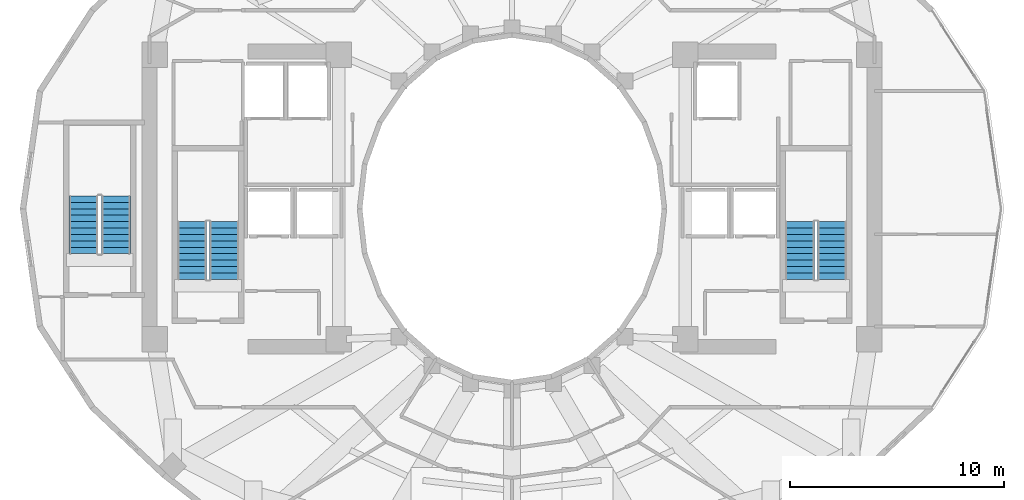
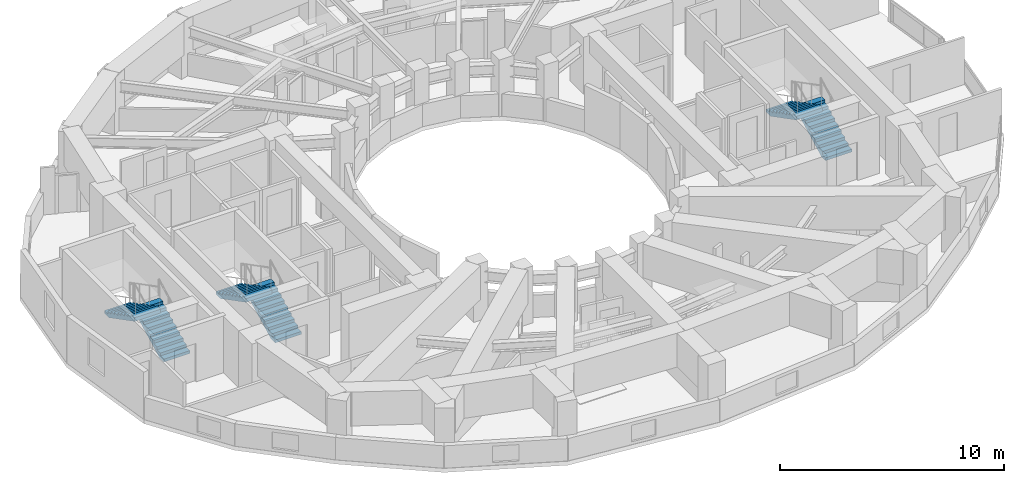
# One storey, part 10 of 13: 6 stair flights, 3 elements without a shape of their own.
"""IFC4 building model written with IfcOpenShell, lengths in metres."""

from ifc_helpers import new_model, si_unit, direction, frame, origin, place, context, subcontext, project, spatial, polyline, outline, extrude, material, type_object, element, aggregate, save


model = new_model("IFC4")

# Units and contexts
model_context = context("Model", 3, precision=1e-05, world=origin(), true_north=direction((0.0, 1.0)))
body_context = subcontext(model_context, "Body", "Model", "MODEL_VIEW")
ifc_project = project(units=[si_unit("LENGTHUNIT", "METRE"), si_unit("AREAUNIT", "SQUARE_METRE"), si_unit("VOLUMEUNIT", "CUBIC_METRE"), si_unit("PLANEANGLEUNIT", "RADIAN"), si_unit("MASSUNIT", "GRAM", prefix="KILO")], contexts=[model_context])

# Site, building, storey
site_placement = place(None, origin())
site = spatial("IfcSite", under=ifc_project, at=site_placement, CompositionType="ELEMENT")
building_placement = place(site_placement, origin())
building = spatial("IfcBuilding", under=site, at=building_placement, Name="Solvane Sanctuary Tower", CompositionType="ELEMENT")
storey_placement = place(building_placement, frame((0.0, 0.0, 149.800048828125)))
storey = spatial("IfcBuildingStorey", under=building, at=storey_placement, Name="L45", CompositionType="ELEMENT", Elevation=149.800048828125)

# Stair, stair flights
ifc_material = material(Name="Concrete C45/55", Category="concrete")
stair_type = type_object("IfcStairType", Name="Stair ST-TOW", PredefinedType="HALF_TURN_STAIR", material=ifc_material)
stair_1_placement = place(storey_placement, origin())
stair_1 = element("IfcStair", 1, at=stair_1_placement, inside=storey, type_object=stair_type, Name="L45 Exit Stair ST-1 West Core", PredefinedType="HALF_TURN_STAIR")
stair_flight_type = type_object("IfcStairFlightType", Name="StairFlight SF-TOW", PredefinedType="STRAIGHT", material=ifc_material)
stair_flight_1_placement = place(storey_placement, frame((18.544921875, 19.699951171875, 0.0), z_axis=(0.0, 0.0, 1.0), x_axis=(0.0, 1.0, 0.0)))
stair_flight_1 = element("IfcStairFlight", 2, at=stair_flight_1_placement, type_object=stair_flight_type, Name="ST-1 flight 1", NumberOfRisers=10, NumberOfTreads=9, PredefinedType="STRAIGHT", RiserHeight=0.155, TreadLength=0.3, context=body_context, shape_type="SweptSolid", body=[
    extrude(outline(polyline([(0.0, 0.0), (0.0, 0.155029296875), (0.300048828125, 0.155029296875), (0.300048828125, 0.31005859375), (0.60009765625, 0.31005859375), (0.60009765625, 0.465087890625), (0.89990234375, 0.465087890625), (0.89990234375, 0.6201171875), (1.199951171875, 0.6201171875), (1.199951171875, 0.77490234375), (1.5, 0.77490234375), (1.5, 0.929931640625), (1.800048828125, 0.929931640625), (1.800048828125, 1.0849609375), (2.10009765625, 1.0849609375), (2.10009765625, 1.239990234375), (2.39990234375, 1.239990234375), (2.39990234375, 1.39501953125), (2.699951171875, 1.39501953125), (2.699951171875, 1.550048828125), (2.699951171875, 1.1923828125), (0.39208984375, 0.0), (0.0, 0.0)])), frame((0.0, 0.675048828125, 0.0), z_axis=(0.0, -1.0, 0.0), x_axis=(1.0, 0.0, 0.0)), (0.0, 0.0, 1.0), 1.35009765625),
])
stair_flight_2_placement = place(storey_placement, frame((17.034912109375, 22.39990234375, 1.550048828125), z_axis=(0.0, 0.0, 1.0), x_axis=(0.0, -1.0, 0.0)))
stair_flight_2 = element("IfcStairFlight", 3, at=stair_flight_2_placement, type_object=stair_flight_type, Name="ST-1 flight 2", NumberOfRisers=10, NumberOfTreads=9, PredefinedType="STRAIGHT", RiserHeight=0.155, TreadLength=0.3, context=body_context, shape_type="SweptSolid", body=[
    extrude(outline(polyline([(0.0, 0.0), (0.0, 0.155029296875), (0.300048828125, 0.155029296875), (0.300048828125, 0.31005859375), (0.60009765625, 0.31005859375), (0.60009765625, 0.465087890625), (0.89990234375, 0.465087890625), (0.89990234375, 0.6201171875), (1.199951171875, 0.6201171875), (1.199951171875, 0.77490234375), (1.5, 0.77490234375), (1.5, 0.929931640625), (1.800048828125, 0.929931640625), (1.800048828125, 1.0849609375), (2.10009765625, 1.0849609375), (2.10009765625, 1.239990234375), (2.39990234375, 1.239990234375), (2.39990234375, 1.39501953125), (2.699951171875, 1.39501953125), (2.699951171875, 1.550048828125), (2.699951171875, 1.1923828125), (0.39208984375, 0.0), (0.0, 0.0)])), frame((0.0, 0.675048828125, 0.0), z_axis=(0.0, -1.0, 0.0), x_axis=(1.0, 0.0, 0.0)), (0.0, 0.0, 1.0), 1.35009765625),
])
aggregate(stair_1, [stair_flight_1, stair_flight_2])

stair_2_placement = place(storey_placement, origin())
stair_2 = element("IfcStair", 4, at=stair_2_placement, inside=storey, type_object=stair_type, Name="L45 Exit Stair ST-2 East Core", PredefinedType="HALF_TURN_STAIR")
stair_flight_3_placement = place(storey_placement, frame((46.965087890625, 19.699951171875, 0.0), z_axis=(0.0, 0.0, 1.0), x_axis=(0.0, 1.0, 0.0)))
stair_flight_3 = element("IfcStairFlight", 5, at=stair_flight_3_placement, type_object=stair_flight_type, Name="ST-2 flight 1", NumberOfRisers=10, NumberOfTreads=9, PredefinedType="STRAIGHT", RiserHeight=0.155, TreadLength=0.3, context=body_context, shape_type="SweptSolid", body=[
    extrude(outline(polyline([(0.0, 0.0), (0.0, 0.155029296875), (0.300048828125, 0.155029296875), (0.300048828125, 0.31005859375), (0.60009765625, 0.31005859375), (0.60009765625, 0.465087890625), (0.89990234375, 0.465087890625), (0.89990234375, 0.6201171875), (1.199951171875, 0.6201171875), (1.199951171875, 0.77490234375), (1.5, 0.77490234375), (1.5, 0.929931640625), (1.800048828125, 0.929931640625), (1.800048828125, 1.0849609375), (2.10009765625, 1.0849609375), (2.10009765625, 1.239990234375), (2.39990234375, 1.239990234375), (2.39990234375, 1.39501953125), (2.699951171875, 1.39501953125), (2.699951171875, 1.550048828125), (2.699951171875, 1.1923828125), (0.39208984375, 0.0), (0.0, 0.0)])), frame((0.0, 0.675048828125, 0.0), z_axis=(0.0, -1.0, 0.0), x_axis=(1.0, 0.0, 0.0)), (0.0, 0.0, 1.0), 1.35009765625),
])
stair_flight_4_placement = place(storey_placement, frame((45.455078125, 22.39990234375, 1.550048828125), z_axis=(0.0, 0.0, 1.0), x_axis=(0.0, -1.0, 0.0)))
stair_flight_4 = element("IfcStairFlight", 6, at=stair_flight_4_placement, type_object=stair_flight_type, Name="ST-2 flight 2", NumberOfRisers=10, NumberOfTreads=9, PredefinedType="STRAIGHT", RiserHeight=0.155, TreadLength=0.3, context=body_context, shape_type="SweptSolid", body=[
    extrude(outline(polyline([(0.0, 0.0), (0.0, 0.155029296875), (0.300048828125, 0.155029296875), (0.300048828125, 0.31005859375), (0.60009765625, 0.31005859375), (0.60009765625, 0.465087890625), (0.89990234375, 0.465087890625), (0.89990234375, 0.6201171875), (1.199951171875, 0.6201171875), (1.199951171875, 0.77490234375), (1.5, 0.77490234375), (1.5, 0.929931640625), (1.800048828125, 0.929931640625), (1.800048828125, 1.0849609375), (2.10009765625, 1.0849609375), (2.10009765625, 1.239990234375), (2.39990234375, 1.239990234375), (2.39990234375, 1.39501953125), (2.699951171875, 1.39501953125), (2.699951171875, 1.550048828125), (2.699951171875, 1.1923828125), (0.39208984375, 0.0), (0.0, 0.0)])), frame((0.0, 0.675048828125, 0.0), z_axis=(0.0, -1.0, 0.0), x_axis=(1.0, 0.0, 0.0)), (0.0, 0.0, 1.0), 1.35009765625),
])
aggregate(stair_2, [stair_flight_3, stair_flight_4])

stair_3_placement = place(storey_placement, origin())
stair_3 = element("IfcStair", 7, at=stair_3_placement, inside=storey, type_object=stair_type, Name="L45 Exit Stair ST-3 Pilgrim Tower Stair", PredefinedType="HALF_TURN_STAIR")
stair_flight_5_placement = place(storey_placement, frame((13.485107421875, 20.89990234375, 0.0), z_axis=(0.0, 0.0, 1.0), x_axis=(0.0, 1.0, 0.0)))
stair_flight_5 = element("IfcStairFlight", 8, at=stair_flight_5_placement, type_object=stair_flight_type, Name="ST-3 flight 1", NumberOfRisers=10, NumberOfTreads=9, PredefinedType="STRAIGHT", RiserHeight=0.155, TreadLength=0.3, context=body_context, shape_type="SweptSolid", body=[
    extrude(outline(polyline([(0.0, 0.0), (0.0, 0.155029296875), (0.300048828125, 0.155029296875), (0.300048828125, 0.31005859375), (0.60009765625, 0.31005859375), (0.60009765625, 0.465087890625), (0.89990234375, 0.465087890625), (0.89990234375, 0.6201171875), (1.199951171875, 0.6201171875), (1.199951171875, 0.77490234375), (1.5, 0.77490234375), (1.5, 0.929931640625), (1.800048828125, 0.929931640625), (1.800048828125, 1.0849609375), (2.10009765625, 1.0849609375), (2.10009765625, 1.239990234375), (2.39990234375, 1.239990234375), (2.39990234375, 1.39501953125), (2.699951171875, 1.39501953125), (2.699951171875, 1.550048828125), (2.699951171875, 1.1923828125), (0.39208984375, 0.0), (0.0, 0.0)])), frame((0.0, 0.675048828125, 0.0), z_axis=(0.0, -1.0, 0.0), x_axis=(1.0, 0.0, 0.0)), (0.0, 0.0, 1.0), 1.35009765625),
])
stair_flight_6_placement = place(storey_placement, frame((11.97509765625, 23.60009765625, 1.550048828125), z_axis=(0.0, 0.0, 1.0), x_axis=(0.0, -1.0, 0.0)))
stair_flight_6 = element("IfcStairFlight", 9, at=stair_flight_6_placement, type_object=stair_flight_type, Name="ST-3 flight 2", NumberOfRisers=10, NumberOfTreads=9, PredefinedType="STRAIGHT", RiserHeight=0.155, TreadLength=0.3, context=body_context, shape_type="SweptSolid", body=[
    extrude(outline(polyline([(0.0, 0.0), (0.0, 0.155029296875), (0.300048828125, 0.155029296875), (0.300048828125, 0.31005859375), (0.60009765625, 0.31005859375), (0.60009765625, 0.465087890625), (0.89990234375, 0.465087890625), (0.89990234375, 0.6201171875), (1.199951171875, 0.6201171875), (1.199951171875, 0.77490234375), (1.5, 0.77490234375), (1.5, 0.929931640625), (1.800048828125, 0.929931640625), (1.800048828125, 1.0849609375), (2.10009765625, 1.0849609375), (2.10009765625, 1.239990234375), (2.39990234375, 1.239990234375), (2.39990234375, 1.39501953125), (2.699951171875, 1.39501953125), (2.699951171875, 1.550048828125), (2.699951171875, 1.1923828125), (0.39208984375, 0.0), (0.0, 0.0)])), frame((0.0, 0.675048828125, 0.0), z_axis=(0.0, -1.0, 0.0), x_axis=(1.0, 0.0, 0.0)), (0.0, 0.0, 1.0), 1.35009765625),
])
aggregate(stair_3, [stair_flight_5, stair_flight_6])

save(model, "model.ifc")
